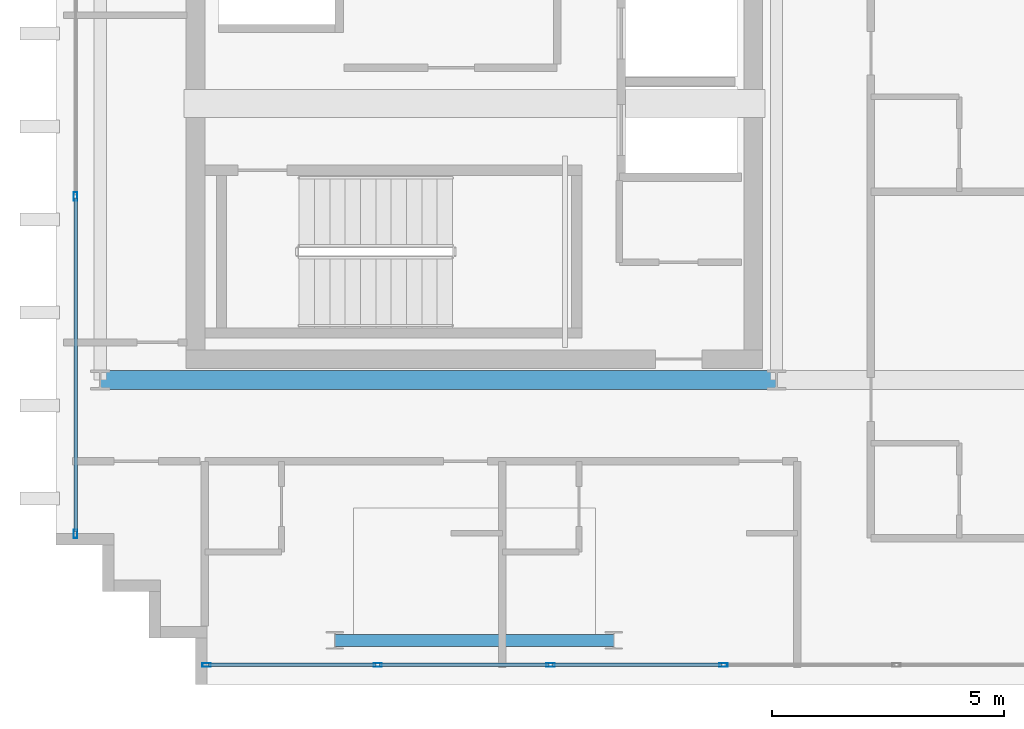
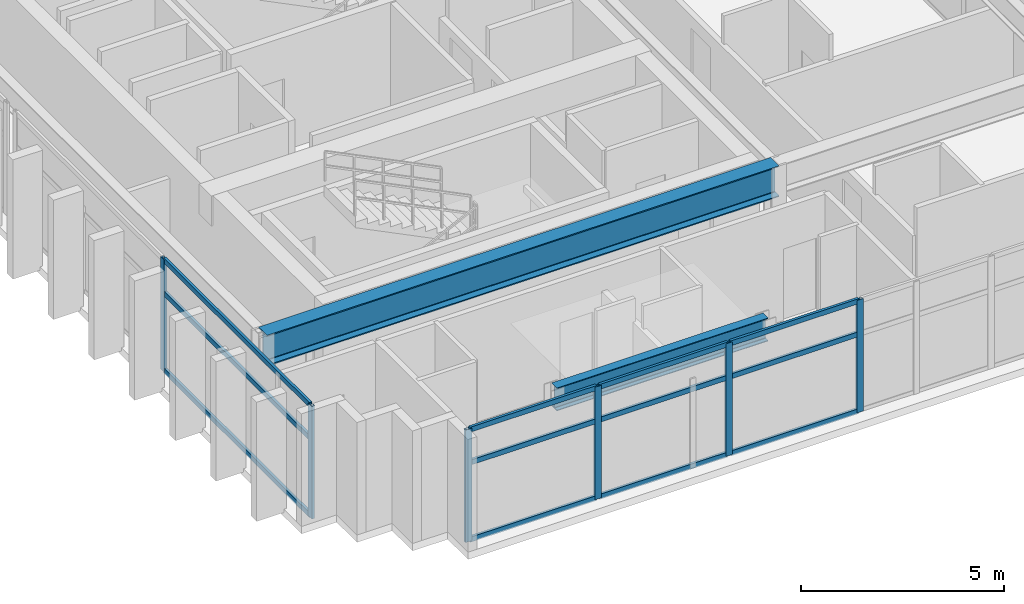
# One storey, part 2 of 15: 18 members, 2 beams, 2 elements without a shape of their own.
"""IFC4 building model written with IfcOpenShell, lengths in metres."""

from ifc_helpers import new_model, si_unit, direction, frame, origin, origin_2d, place, context, subcontext, project, spatial, hollow_rectangle, i_section, extrude, source, transform, mapped, material, layer, layer_set, material_profile, profile_set, type_object, element, aggregate, save


model = new_model("IFC4")

# Units and contexts
model_context = context("Model", 3, precision=1e-05, world=origin(), true_north=direction((0.0, 1.0)))
body_context = subcontext(model_context, "Body", "Model", "MODEL_VIEW")
ifc_project = project(units=[si_unit("LENGTHUNIT", "METRE"), si_unit("AREAUNIT", "SQUARE_METRE"), si_unit("VOLUMEUNIT", "CUBIC_METRE"), si_unit("PLANEANGLEUNIT", "RADIAN"), si_unit("MASSUNIT", "GRAM", prefix="KILO")], contexts=[model_context])

# Site, building, storey
site_placement = place(None, origin())
site = spatial("IfcSite", under=ifc_project, at=site_placement, CompositionType="ELEMENT")
building_placement = place(site_placement, origin())
building = spatial("IfcBuilding", under=site, at=building_placement, Name="Ocotamira Hotel", CompositionType="ELEMENT")
storey_placement = place(building_placement, frame((0.0, 0.0, 290.39990234375)))
storey = spatial("IfcBuildingStorey", under=building, at=storey_placement, Name="L74", CompositionType="ELEMENT", Elevation=290.39990234375)

# Beams
ifc_material_1 = material(Name="Steel ASTM A992 Grade 50", Category="steel")
ifc_material_profile_1 = material_profile(ifc_material_1, i_section(OverallWidth=0.41796875, OverallDepth=0.927001953125, WebThickness=0.019287109375, FlangeThickness=0.031982421875, FilletRadius=0.02392578125, at=origin_2d()), Name="W36X231")
ifc_profile_set_1 = profile_set([ifc_material_profile_1], Name="Steel ASTM A992 Grade 50")
beam_type_1 = type_object("IfcBeamType", Name="BM-GIRD-W36X231", PredefinedType="BEAM", material=ifc_profile_set_1)
shared_shape_1 = source(origin(), body_context, "Body", "SweptSolid", [
    extrude(i_section(OverallWidth=0.41796875, OverallDepth=0.927001953125, WebThickness=0.019287109375, FlangeThickness=0.031982421875, FilletRadius=0.02392578125, at=origin_2d()), origin(), (0.0, 0.0, 1.0), 14.550048828125),
])
beam_1_placement = place(storey_placement, frame((8.949951171875, 14.550048828125, 2.91650390625), z_axis=(1.0, 0.0, 0.0), x_axis=(0.0, 1.0, 0.0)))
element("IfcBeam", 1, at=beam_1_placement, inside=storey, type_object=beam_type_1, Name="L74 Girder Y14.55 X8.95-23.5", PredefinedType="BEAM", context=body_context, shape_type="MappedRepresentation", body=[
    mapped(shared_shape_1, transform((0.0, 0.0, 0.0), scale=1.0)),
])
ifc_material_profile_2 = material_profile(ifc_material_1, i_section(OverallWidth=0.256103515625, OverallDepth=0.693115234375, WebThickness=0.014404296875, FlangeThickness=0.023681640625, FilletRadius=0.01611328125, at=origin_2d()), Name="W27X114")
ifc_profile_set_2 = profile_set([ifc_material_profile_2], Name="Steel ASTM A992 Grade 50")
beam_type_2 = type_object("IfcBeamType", Name="BM-PRIM-W27X114", PredefinedType="BEAM", material=ifc_profile_set_2)
shared_shape_2 = source(origin(), body_context, "Body", "SweptSolid", [
    extrude(i_section(OverallWidth=0.256103515625, OverallDepth=0.693115234375, WebThickness=0.014404296875, FlangeThickness=0.023681640625, FilletRadius=0.01611328125, at=origin_2d()), origin(), (0.0, 0.0, 1.0), 6.0),
])
beam_2_placement = place(storey_placement, frame((14.0, 8.949951171875, 3.03369140625), z_axis=(1.0, 0.0, 0.0), x_axis=(0.0, 1.0, 0.0)))
element("IfcBeam", 2, at=beam_2_placement, inside=storey, type_object=beam_type_2, Name="L74 Girder Y8.95 X14-20", PredefinedType="BEAM", context=body_context, shape_type="MappedRepresentation", body=[
    mapped(shared_shape_2, transform((0.0, 0.0, 0.0), scale=1.0)),
])

# Curtain wall, members
ifc_material_2 = material(Name="Anodised pale-metal aluminium and solar glass", Category="aluminium")
ifc_layer = layer(ifc_material_2, 0.2099609375)
ifc_layer_set = layer_set([ifc_layer], Name="Anodised pale-metal aluminium and solar glass")
curtain_wall_type = type_object("IfcCurtainWallType", Name="CW-SYS7-PEAK", PredefinedType="NOTDEFINED", material=ifc_layer_set)
curtain_wall_1_placement = place(storey_placement, origin())
curtain_wall_1 = element("IfcCurtainWall", 3, at=curtain_wall_1_placement, inside=storey, type_object=curtain_wall_type, Name="L74 Curtain Wall CW-7 CW-L74-S1", PredefinedType="NOTDEFINED")
ifc_material_3 = material(Name="Anodised pale-metal aluminium 6063-T6", Category="aluminium")
ifc_material_profile_3 = material_profile(ifc_material_3, hollow_rectangle(XDim=0.080078125, YDim=0.179931640625, WallThickness=0.006103515625, at=origin_2d()), Name="HSS180X80X6")
ifc_profile_set_3 = profile_set([ifc_material_profile_3], Name="Anodised pale-metal aluminium 6063-T6")
member_type_1 = type_object("IfcMemberType", Name="CWM-180X75", PredefinedType="MULLION", material=ifc_profile_set_3)
shared_shape_3 = source(origin(), body_context, "Body", "SweptSolid", [
    extrude(hollow_rectangle(XDim=0.080078125, YDim=0.179931640625, WallThickness=0.006103515625, at=origin_2d()), origin(), (0.0, 0.0, 1.0), 3.380126953125),
])
member_1_placement = place(storey_placement, frame((11.239990234375, 8.419921875, 0.0), z_axis=(0.0, 0.0, 1.0), x_axis=(0.0, 1.0, 0.0)))
member_1 = element("IfcMember", 4, at=member_1_placement, type_object=member_type_1, Name="CW-7 mullion 1", PredefinedType="MULLION", context=body_context, shape_type="MappedRepresentation", body=[
    mapped(shared_shape_3, transform((0.0, 0.0, 0.0), scale=1.0)),
])
member_2_placement = place(storey_placement, frame((14.919921875, 8.419921875, 0.0), z_axis=(0.0, 0.0, 1.0), x_axis=(0.0, 1.0, 0.0)))
member_2 = element("IfcMember", 5, at=member_2_placement, type_object=member_type_1, Name="CW-7 mullion 2", PredefinedType="MULLION", context=body_context, shape_type="MappedRepresentation", body=[
    mapped(shared_shape_3, transform((0.0, 0.0, 0.0), scale=1.0)),
])
member_3_placement = place(storey_placement, frame((18.639892578125, 8.419921875, 0.0), z_axis=(0.0, 0.0, 1.0), x_axis=(0.0, 1.0, 0.0)))
member_3 = element("IfcMember", 6, at=member_3_placement, type_object=member_type_1, Name="CW-7 mullion 3", PredefinedType="MULLION", context=body_context, shape_type="MappedRepresentation", body=[
    mapped(shared_shape_3, transform((0.0, 0.0, 0.0), scale=1.0)),
])
member_4_placement = place(storey_placement, frame((22.360107421875, 8.419921875, 0.0), z_axis=(0.0, 0.0, 1.0), x_axis=(0.0, 1.0, 0.0)))
member_4 = element("IfcMember", 7, at=member_4_placement, type_object=member_type_1, Name="CW-7 mullion 4", PredefinedType="MULLION", context=body_context, shape_type="MappedRepresentation", body=[
    mapped(shared_shape_3, transform((0.0, 0.0, 0.0), scale=1.0)),
])

curtain_wall_2_placement = place(storey_placement, origin())
curtain_wall_2 = element("IfcCurtainWall", 8, at=curtain_wall_2_placement, inside=storey, type_object=curtain_wall_type, Name="L74 Curtain Wall CW-7 CW-L74-W1", PredefinedType="NOTDEFINED")
member_5_placement = place(storey_placement, frame((8.419921875, 11.239990234375, 0.0), z_axis=(0.0, 0.0, 1.0), x_axis=(-1.0, 0.0, 0.0)))
member_5 = element("IfcMember", 9, at=member_5_placement, type_object=member_type_1, Name="CW-7 mullion 1", PredefinedType="MULLION", context=body_context, shape_type="MappedRepresentation", body=[
    mapped(shared_shape_3, transform((0.0, 0.0, 0.0), scale=1.0)),
])
member_6_placement = place(storey_placement, frame((8.419921875, 18.5, 0.0), z_axis=(0.0, 0.0, 1.0), x_axis=(-1.0, 0.0, 0.0)))
member_6 = element("IfcMember", 10, at=member_6_placement, type_object=member_type_1, Name="CW-7 mullion 2", PredefinedType="MULLION", context=body_context, shape_type="MappedRepresentation", body=[
    mapped(shared_shape_3, transform((0.0, 0.0, 0.0), scale=1.0)),
])
ifc_material_profile_4 = material_profile(ifc_material_3, hollow_rectangle(XDim=0.074951171875, YDim=0.14990234375, WallThickness=0.006103515625, at=origin_2d()), Name="HSS150X75X6")
ifc_profile_set_4 = profile_set([ifc_material_profile_4], Name="Anodised pale-metal aluminium 6063-T6")
member_type_2 = type_object("IfcMemberType", Name="CWT-150X75", PredefinedType="USERDEFINED", material=ifc_profile_set_4)
shared_shape_4 = source(origin(), body_context, "Body", "SweptSolid", [
    extrude(hollow_rectangle(XDim=0.074951171875, YDim=0.14990234375, WallThickness=0.006103515625, at=origin_2d()), origin(), (0.0, 0.0, 1.0), 7.179931640625),
])
member_7_placement = place(storey_placement, frame((8.419921875, 11.280029296875, 0.03759765625), z_axis=(0.0, 1.0, 0.0), x_axis=(-1.0, 0.0, 0.0)))
member_7 = element("IfcMember", 11, at=member_7_placement, type_object=member_type_2, Name="CW-7 transom 1.1", ObjectType="TRANSOM", PredefinedType="USERDEFINED", context=body_context, shape_type="MappedRepresentation", body=[
    mapped(shared_shape_4, transform((0.0, 0.0, 0.0), scale=1.0)),
])
member_8_placement = place(storey_placement, frame((8.419921875, 11.280029296875, 2.35009765625), z_axis=(0.0, 1.0, 0.0), x_axis=(-1.0, 0.0, 0.0)))
member_8 = element("IfcMember", 12, at=member_8_placement, type_object=member_type_2, Name="CW-7 transom 1.2", ObjectType="TRANSOM", PredefinedType="USERDEFINED", context=body_context, shape_type="MappedRepresentation", body=[
    mapped(shared_shape_4, transform((0.0, 0.0, 0.0), scale=1.0)),
])
member_9_placement = place(storey_placement, frame((8.419921875, 11.280029296875, 3.342529296875), z_axis=(0.0, 1.0, 0.0), x_axis=(-1.0, 0.0, 0.0)))
member_9 = element("IfcMember", 13, at=member_9_placement, type_object=member_type_2, Name="CW-7 transom 1.3", ObjectType="TRANSOM", PredefinedType="USERDEFINED", context=body_context, shape_type="MappedRepresentation", body=[
    mapped(shared_shape_4, transform((0.0, 0.0, 0.0), scale=1.0)),
])
aggregate(curtain_wall_2, [member_5, member_6, member_7, member_8, member_9])

# Member
shared_shape_5 = source(origin(), body_context, "Body", "SweptSolid", [
    extrude(hollow_rectangle(XDim=0.074951171875, YDim=0.14990234375, WallThickness=0.006103515625, at=origin_2d()), origin(), (0.0, 0.0, 1.0), 3.599853515625),
])
member_10_placement = place(storey_placement, frame((11.280029296875, 8.419921875, 0.03759765625), z_axis=(1.0, 0.0, 0.0), x_axis=(0.0, 1.0, 0.0)))
member_10 = element("IfcMember", 14, at=member_10_placement, type_object=member_type_2, Name="CW-7 transom 1.1", ObjectType="TRANSOM", PredefinedType="USERDEFINED", context=body_context, shape_type="MappedRepresentation", body=[
    mapped(shared_shape_5, transform((0.0, 0.0, 0.0), scale=1.0)),
])

member_11_placement = place(storey_placement, frame((11.280029296875, 8.419921875, 2.35009765625), z_axis=(1.0, 0.0, 0.0), x_axis=(0.0, 1.0, 0.0)))
member_11 = element("IfcMember", 15, at=member_11_placement, type_object=member_type_2, Name="CW-7 transom 1.2", ObjectType="TRANSOM", PredefinedType="USERDEFINED", context=body_context, shape_type="MappedRepresentation", body=[
    mapped(shared_shape_5, transform((0.0, 0.0, 0.0), scale=1.0)),
])

member_12_placement = place(storey_placement, frame((11.280029296875, 8.419921875, 3.342529296875), z_axis=(1.0, 0.0, 0.0), x_axis=(0.0, 1.0, 0.0)))
member_12 = element("IfcMember", 16, at=member_12_placement, type_object=member_type_2, Name="CW-7 transom 1.3", ObjectType="TRANSOM", PredefinedType="USERDEFINED", context=body_context, shape_type="MappedRepresentation", body=[
    mapped(shared_shape_5, transform((0.0, 0.0, 0.0), scale=1.0)),
])

shared_shape_6 = source(origin(), body_context, "Body", "SweptSolid", [
    extrude(hollow_rectangle(XDim=0.074951171875, YDim=0.14990234375, WallThickness=0.006103515625, at=origin_2d()), origin(), (0.0, 0.0, 1.0), 3.64013671875),
])
member_13_placement = place(storey_placement, frame((14.9599609375, 8.419921875, 0.03759765625), z_axis=(1.0, 0.0, 0.0), x_axis=(0.0, 1.0, 0.0)))
member_13 = element("IfcMember", 17, at=member_13_placement, type_object=member_type_2, Name="CW-7 transom 2.1", ObjectType="TRANSOM", PredefinedType="USERDEFINED", context=body_context, shape_type="MappedRepresentation", body=[
    mapped(shared_shape_6, transform((0.0, 0.0, 0.0), scale=1.0)),
])

member_14_placement = place(storey_placement, frame((14.9599609375, 8.419921875, 2.35009765625), z_axis=(1.0, 0.0, 0.0), x_axis=(0.0, 1.0, 0.0)))
member_14 = element("IfcMember", 18, at=member_14_placement, type_object=member_type_2, Name="CW-7 transom 2.2", ObjectType="TRANSOM", PredefinedType="USERDEFINED", context=body_context, shape_type="MappedRepresentation", body=[
    mapped(shared_shape_6, transform((0.0, 0.0, 0.0), scale=1.0)),
])

member_15_placement = place(storey_placement, frame((14.9599609375, 8.419921875, 3.342529296875), z_axis=(1.0, 0.0, 0.0), x_axis=(0.0, 1.0, 0.0)))
member_15 = element("IfcMember", 19, at=member_15_placement, type_object=member_type_2, Name="CW-7 transom 2.3", ObjectType="TRANSOM", PredefinedType="USERDEFINED", context=body_context, shape_type="MappedRepresentation", body=[
    mapped(shared_shape_6, transform((0.0, 0.0, 0.0), scale=1.0)),
])

member_16_placement = place(storey_placement, frame((18.679931640625, 8.419921875, 0.03759765625), z_axis=(1.0, 0.0, 0.0), x_axis=(0.0, 1.0, 0.0)))
member_16 = element("IfcMember", 20, at=member_16_placement, type_object=member_type_2, Name="CW-7 transom 3.1", ObjectType="TRANSOM", PredefinedType="USERDEFINED", context=body_context, shape_type="MappedRepresentation", body=[
    mapped(shared_shape_6, transform((0.0, 0.0, 0.0), scale=1.0)),
])

member_17_placement = place(storey_placement, frame((18.679931640625, 8.419921875, 2.35009765625), z_axis=(1.0, 0.0, 0.0), x_axis=(0.0, 1.0, 0.0)))
member_17 = element("IfcMember", 21, at=member_17_placement, type_object=member_type_2, Name="CW-7 transom 3.2", ObjectType="TRANSOM", PredefinedType="USERDEFINED", context=body_context, shape_type="MappedRepresentation", body=[
    mapped(shared_shape_6, transform((0.0, 0.0, 0.0), scale=1.0)),
])

member_18_placement = place(storey_placement, frame((18.679931640625, 8.419921875, 3.342529296875), z_axis=(1.0, 0.0, 0.0), x_axis=(0.0, 1.0, 0.0)))
member_18 = element("IfcMember", 22, at=member_18_placement, type_object=member_type_2, Name="CW-7 transom 3.3", ObjectType="TRANSOM", PredefinedType="USERDEFINED", context=body_context, shape_type="MappedRepresentation", body=[
    mapped(shared_shape_6, transform((0.0, 0.0, 0.0), scale=1.0)),
])

aggregate(curtain_wall_1, [member_1, member_2, member_3, member_4, member_10, member_11, member_12, member_13, member_14, member_15, member_16, member_17, member_18])

save(model, "model.ifc")
